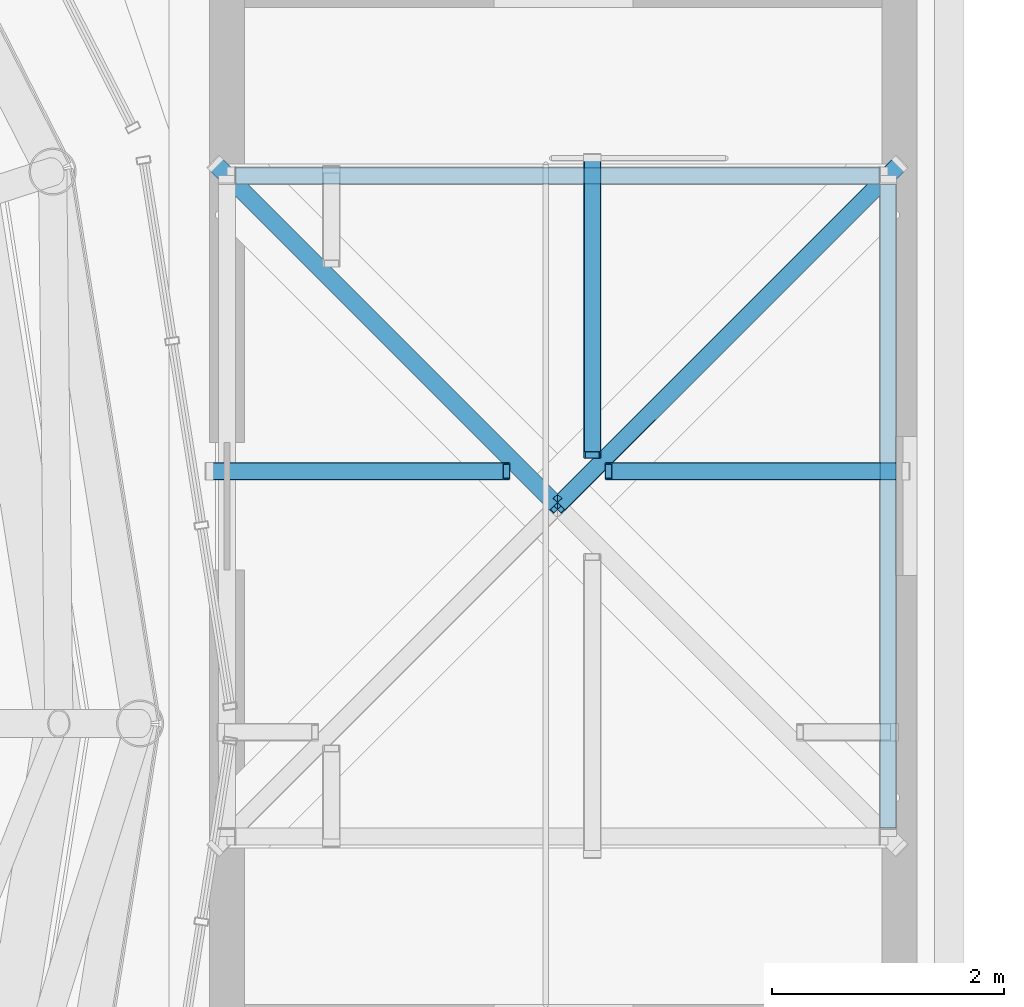
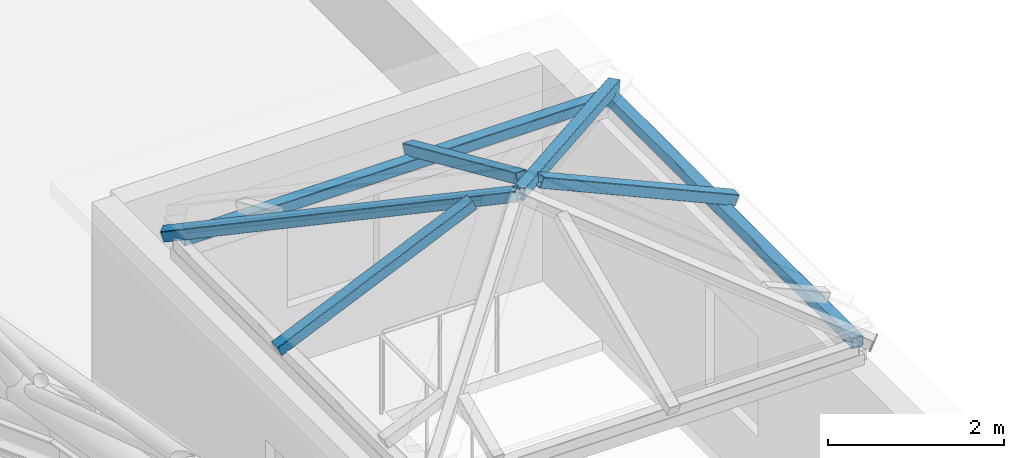
# One storey, part 34 of 69: 7 members.
"""IFC4 building model written with IfcOpenShell, lengths in metres."""

from ifc_helpers import new_model, si_unit, direction, frame, origin, origin_2d, place, context, subcontext, project, spatial, hollow_rectangle, extrude, material, material_profile, profile_set, type_object, element, save


model = new_model("IFC4")

# Units and contexts
model_context = context("Model", 3, precision=1e-05, world=origin(), true_north=direction((0.0, 1.0)))
body_context = subcontext(model_context, "Body", "Model", "MODEL_VIEW")
ifc_project = project(units=[si_unit("LENGTHUNIT", "METRE"), si_unit("AREAUNIT", "SQUARE_METRE"), si_unit("VOLUMEUNIT", "CUBIC_METRE"), si_unit("PLANEANGLEUNIT", "RADIAN"), si_unit("MASSUNIT", "GRAM", prefix="KILO")], contexts=[model_context])

# Site, building, storey
site_placement = place(None, origin())
site = spatial("IfcSite", under=ifc_project, at=site_placement, CompositionType="ELEMENT")
building_placement = place(site_placement, origin())
building = spatial("IfcBuilding", under=site, at=building_placement, Name="Kallimachos Central Library", CompositionType="ELEMENT")
storey_placement = place(building_placement, frame((0.0, 0.0, 23.39990234375)))
storey = spatial("IfcBuildingStorey", under=building, at=storey_placement, Name="L05", CompositionType="ELEMENT", Elevation=23.39990234375)

# Members
ifc_material_1 = material(Name="Steel S355J2H", Category="steel")
ifc_material_profile_1 = material_profile(ifc_material_1, hollow_rectangle(XDim=0.14990234375, YDim=0.14990234375, WallThickness=0.010009765625, InnerFilletRadius=0.010009765625, OuterFilletRadius=0.014892578125, at=origin_2d()), Name="SHS 150x150x10")
ifc_profile_set_1 = profile_set([ifc_material_profile_1], Name="Steel S355J2H")
member_type_1 = type_object("IfcMemberType", Name="SHS 150x150x10 eaves bearer", PredefinedType="STRINGER", material=ifc_profile_set_1)
member_1_placement = place(storey_placement, frame((104.22509765625, 109.125, 3.425048828125), z_axis=(1.0, 0.0, 0.0), x_axis=(0.0, 1.0, 0.0)))
element("IfcMember", 1, at=member_1_placement, inside=storey, type_object=member_type_1, Name="Head-house roof V1-NE eaves bearer N", PredefinedType="STRINGER", context=body_context, shape_type="SweptSolid", body=[
    extrude(hollow_rectangle(XDim=0.14990234375, YDim=0.14990234375, WallThickness=0.010009765625, InnerFilletRadius=0.010009765625, OuterFilletRadius=0.014892578125, at=origin_2d()), origin(), (0.0, 0.0, 1.0), 5.5498046875),
])
member_2_placement = place(storey_placement, frame((109.85009765625, 103.5, 3.425048828125), z_axis=(0.0, 1.0, 0.0), x_axis=(-1.0, 0.0, 0.0)))
element("IfcMember", 2, at=member_2_placement, inside=storey, type_object=member_type_1, Name="Head-house roof V1-NE eaves bearer E", PredefinedType="STRINGER", context=body_context, shape_type="SweptSolid", body=[
    extrude(hollow_rectangle(XDim=0.14990234375, YDim=0.14990234375, WallThickness=0.010009765625, InnerFilletRadius=0.010009765625, OuterFilletRadius=0.014892578125, at=origin_2d()), origin(), (0.0, 0.0, 1.0), 5.550048828125),
])
ifc_material_2 = material(Name="Steel S355J2H", Category="steel")
ifc_material_profile_2 = material_profile(ifc_material_2, hollow_rectangle(XDim=0.14990234375, YDim=0.14990234375, WallThickness=0.010009765625, InnerFilletRadius=0.010009765625, OuterFilletRadius=0.014892578125, at=origin_2d()), Name="SHS 150x150x10")
ifc_profile_set_2 = profile_set([ifc_material_profile_2], Name="Steel S355J2H")
member_type_2 = type_object("IfcMemberType", Name="SHS 150x150x10 rafter", PredefinedType="RAFTER", material=ifc_profile_set_2)
for number, where, z_axis, x_axis, name in (
    (3, (107.300048828125, 109.27490234375, 3.515380859375), (0.0, -0.913520293885, 0.406793157096), (1.0, 0.0, 0.0), "Head-house roof V1-NE rafter"),
    (4, (104.0, 106.574951171875, 3.515380859375), (0.913534709899, 0.0, 0.406760782045), (0.0, 1.0, 0.0), "Head-house roof V1-NE rafter"),
    (5, (110.0, 106.574951171875, 3.515380859375), (-0.913534709899, 0.0, 0.406760782045), (0.0, -1.0, 0.0), "Head-house roof V1-NE rafter"),
):
    element("IfcMember", number, at=place(storey_placement, frame(where, z_axis=z_axis, x_axis=x_axis)), inside=storey, type_object=member_type_2, Name=name, PredefinedType="RAFTER", context=body_context, shape_type="SweptSolid", body=[
        extrude(hollow_rectangle(XDim=0.14990234375, YDim=0.14990234375, WallThickness=0.010009765625, InnerFilletRadius=0.010009765625, OuterFilletRadius=0.014892578125, at=origin_2d()), origin(), (0.0, 0.0, 1.0), 2.80224609375),
    ])
ifc_material_3 = material(Name="Steel S355J2H", Category="steel")
ifc_material_profile_3 = material_profile(ifc_material_3, hollow_rectangle(XDim=0.14990234375, YDim=0.14990234375, WallThickness=0.010009765625, InnerFilletRadius=0.010009765625, OuterFilletRadius=0.014892578125, at=origin_2d()), Name="SHS 150x150x10")
ifc_profile_set_3 = profile_set([ifc_material_profile_3], Name="Steel S355J2H")
member_type_3 = type_object("IfcMemberType", Name="SHS 200x200x10 hip rafter", PredefinedType="RAFTER", material=ifc_profile_set_3)
for number, where, z_axis, x_axis, name in (
    (6, (104.050048828125, 109.22509765625, 3.487548828125), (0.674453955673, -0.674509774092, 0.30024727531), (0.707136039769, 0.707077521394, 0.0), "Head-house roof V1-NE hip"),
    (7, (109.949951171875, 109.22509765625, 3.487548828125), (-0.674453955673, -0.674509774092, 0.30024727531), (0.707136039769, -0.707077521394, 0.0), "Head-house roof V1-NE hip"),
):
    element("IfcMember", number, at=place(storey_placement, frame(where, z_axis=z_axis, x_axis=x_axis)), inside=storey, type_object=member_type_3, Name=name, PredefinedType="RAFTER", context=body_context, shape_type="SweptSolid", body=[
        extrude(hollow_rectangle(XDim=0.14990234375, YDim=0.14990234375, WallThickness=0.010009765625, InnerFilletRadius=0.010009765625, OuterFilletRadius=0.014892578125, at=origin_2d()), origin(), (0.0, 0.0, 1.0), 4.373779296875),
    ])

save(model, "model.ifc")
